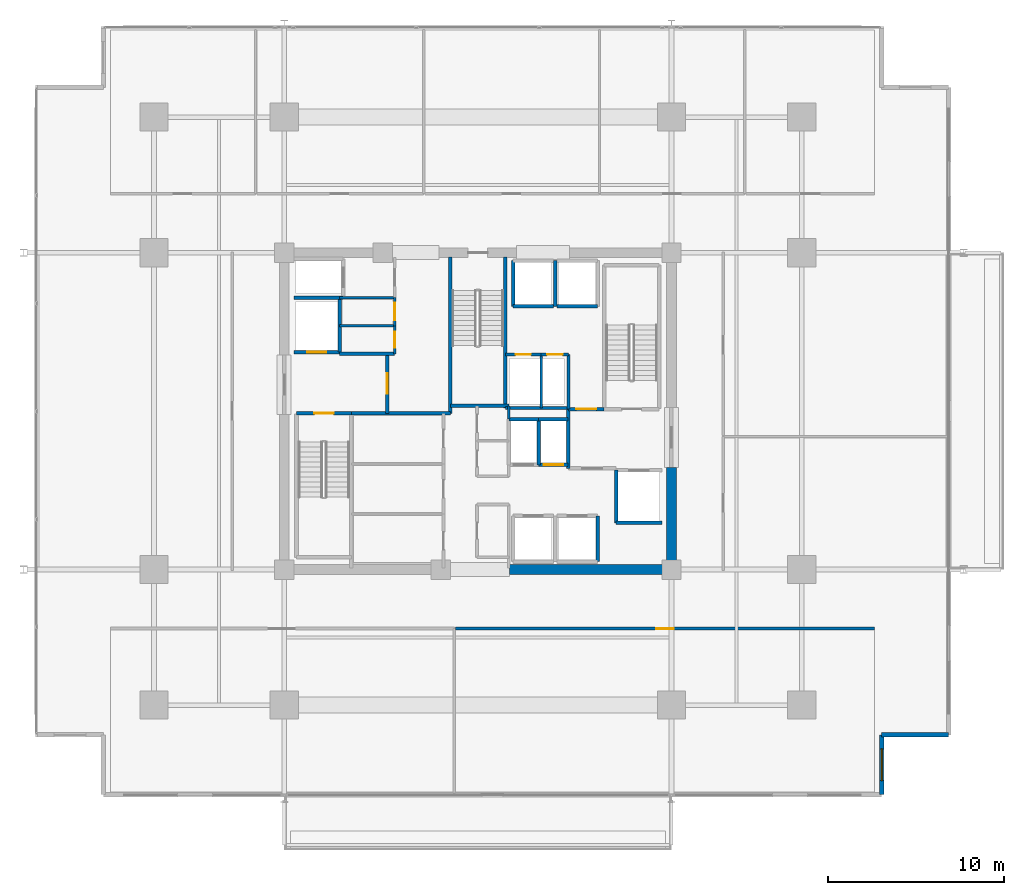
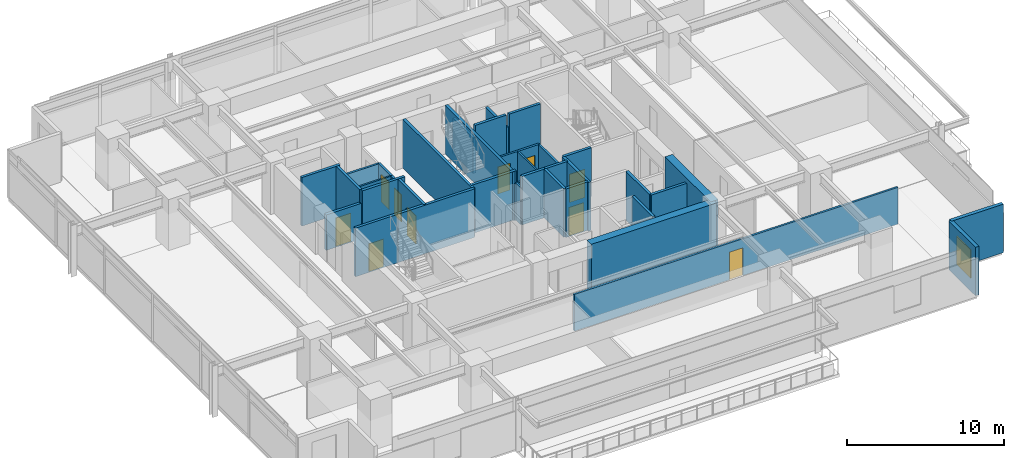
# One storey, part 14 of 21: 38 walls, 10 doors, 1 window, 11 openings.
"""IFC4 building model written with IfcOpenShell, lengths in metres."""

from ifc_helpers import new_model, si_unit, direction, frame, frame_2d, origin, place, context, subcontext, project, spatial, rectangle, extrude, material, layer, layer_set, type_object, element, fill, save


model = new_model("IFC4")

# Units and contexts
model_context = context("Model", 3, precision=1e-05, world=origin(), true_north=direction((0.0, 1.0)))
body_context = subcontext(model_context, "Body", "Model", "MODEL_VIEW")
ifc_project = project(units=[si_unit("LENGTHUNIT", "METRE"), si_unit("AREAUNIT", "SQUARE_METRE"), si_unit("VOLUMEUNIT", "CUBIC_METRE"), si_unit("PLANEANGLEUNIT", "RADIAN"), si_unit("MASSUNIT", "GRAM", prefix="KILO")], contexts=[model_context])

# Site, building, storey
site_placement = place(None, origin())
site = spatial("IfcSite", under=ifc_project, at=site_placement, CompositionType="ELEMENT")
building_placement = place(site_placement, origin())
building = spatial("IfcBuilding", under=site, at=building_placement, Name="Kovane Verandah Tower", CompositionType="ELEMENT")
storey_placement = place(building_placement, frame((0.0, 0.0, 172.39990234375)))
storey = spatial("IfcBuildingStorey", under=building, at=storey_placement, Name="L40", CompositionType="ELEMENT", Elevation=172.39990234375)

# Walls
ifc_material_1 = material(Name="Fire-Rated Gypsum Stud Partition", Category="gypsum")
ifc_layer_1 = layer(ifc_material_1, 0.14990234375)
ifc_layer_set_1 = layer_set([ifc_layer_1], Name="Fire-Rated Gypsum Stud Partition")
wall_type_1 = type_object("IfcWallType", Name="WL-COR-150", PredefinedType="PARTITIONING", material=ifc_layer_set_1)
wall_1_placement = place(storey_placement, frame((41.760009765625, 27.050048828125, 0.0), z_axis=(0.0, 0.0, 1.0), x_axis=(0.0, 1.0, 0.0)))
element("IfcWall", 1, at=wall_1_placement, inside=storey, type_object=wall_type_1, Name="L40 Central Core Strip Upper East Wall", PredefinedType="PARTITIONING", context=body_context, shape_type="SweptSolid", body=[
    extrude(rectangle(XDim=0.75, YDim=0.14990234375, at=frame_2d((0.375, 0.0))), origin(), (0.0, 0.0, 1.0), 2.85009765625),
])
wall_2_placement = place(storey_placement, frame((32.14990234375, 33.949951171875, 0.0), z_axis=(0.0, 0.0, 1.0), x_axis=(1.0, 0.0, 0.0)))
element("IfcWall", 2, at=wall_2_placement, inside=storey, type_object=wall_type_1, Name="L40 Goods Lift Lobby South Wall", PredefinedType="PARTITIONING", context=body_context, shape_type="SweptSolid", body=[
    extrude(rectangle(XDim=3.130126953125, YDim=0.14990234375, at=frame_2d((1.56494140625, 0.0))), origin(), (0.0, 0.0, 1.0), 2.85009765625),
])

# Wall, opening, door
wall_3_placement = place(storey_placement, frame((35.280029296875, 30.75, 0.0), z_axis=(0.0, 0.0, 1.0), x_axis=(0.0, 1.0, 0.0)))
wall_3 = element("IfcWall", 3, at=wall_3_placement, inside=storey, type_object=wall_type_1, Name="L40 Accessible Unisex Toilet Partition", PredefinedType="PARTITIONING", context=body_context, shape_type="SweptSolid", body=[
    extrude(rectangle(XDim=1.60009765625, YDim=0.14990234375, at=frame_2d((0.800048828125, 0.0))), origin(), (0.0, 0.0, 1.0), 2.85009765625),
])
opening_1_placement = place(wall_3_placement, frame((0.35009765625, 0.0, 0.0)))
opening_1 = element("IfcOpeningElement", 4, at=opening_1_placement, cuts=wall_3, Name="Opening DR-L40-028", PredefinedType="OPENING", context=body_context, shape_type="SweptSolid", body=[
    extrude(rectangle(XDim=0.89990234375, YDim=2.10009765625, at=frame_2d((0.449951171875, 1.050048828125))), frame((0.0, 0.074951171875, 0.0), z_axis=(0.0, -1.0, 0.0), x_axis=(1.0, 0.0, 0.0)), (0.0, 0.0, 1.0), 0.14990234375),
])
ifc_material_2 = material(Name="Moisture-Resistant Laminate Washroom Door", Category="wood")
door_type_1 = type_object("IfcDoorType", Name="DR-WC-900", OperationType="SINGLE_SWING_LEFT", PredefinedType="DOOR", material=ifc_material_2)
door_1_placement = place(opening_1_placement, origin())
door_1 = element("IfcDoor", 5, at=door_1_placement, inside=storey, type_object=door_type_1, Name="L40 Accessible Unisex Toilet Door", OperationType="SINGLE_SWING_RIGHT", OverallHeight=2.10009765625, OverallWidth=0.89990234375, PredefinedType="DOOR", context=body_context, shape_type="SweptSolid", body=[
    extrude(rectangle(XDim=0.89990234375, YDim=2.10009765625, at=frame_2d((0.449951171875, 1.050048828125))), frame((0.0, 0.02490234375, 0.0), z_axis=(0.0, -1.0, 0.0), x_axis=(1.0, 0.0, 0.0)), (0.0, 0.0, 1.0), 0.050048828125),
])
fill(opening_1, door_1)

wall_4_placement = place(storey_placement, frame((35.280029296875, 32.35009765625, 0.0), z_axis=(0.0, 0.0, 1.0), x_axis=(0.0, 1.0, 0.0)))
wall_4 = element("IfcWall", 6, at=wall_4_placement, inside=storey, type_object=wall_type_1, Name="L40 North-West First Aid Room Partition", PredefinedType="PARTITIONING", context=body_context, shape_type="SweptSolid", body=[
    extrude(rectangle(XDim=1.599853515625, YDim=0.14990234375, at=frame_2d((0.7998046875, 0.0))), origin(), (0.0, 0.0, 1.0), 2.85009765625),
])
opening_2_placement = place(wall_4_placement, frame((0.300048828125, 0.0, 0.0)))
opening_2 = element("IfcOpeningElement", 7, at=opening_2_placement, cuts=wall_4, Name="Opening DR-L40-012", PredefinedType="OPENING", context=body_context, shape_type="SweptSolid", body=[
    extrude(rectangle(XDim=1.0, YDim=2.14990234375, at=frame_2d((0.5, 1.074951171875))), frame((0.0, 0.074951171875, 0.0), z_axis=(0.0, -1.0, 0.0), x_axis=(1.0, 0.0, 0.0)), (0.0, 0.0, 1.0), 0.14990234375),
])
ifc_material_3 = material(Name="FSC Spotted-Gum Timber Fire-Rated Office Door", Category="wood")
door_type_2 = type_object("IfcDoorType", Name="DR-OFF-1000", OperationType="SINGLE_SWING_LEFT", PredefinedType="DOOR", material=ifc_material_3)
door_2_placement = place(opening_2_placement, origin())
door_2 = element("IfcDoor", 8, at=door_2_placement, inside=storey, type_object=door_type_2, Name="L40 North-West First Aid Room Door", OperationType="SINGLE_SWING_LEFT", OverallHeight=2.14990234375, OverallWidth=1.0, PredefinedType="DOOR", context=body_context, shape_type="SweptSolid", body=[
    extrude(rectangle(XDim=1.0, YDim=2.14990234375, at=frame_2d((0.5, 1.074951171875))), frame((0.0, 0.02490234375, 0.0), z_axis=(0.0, -1.0, 0.0), x_axis=(1.0, 0.0, 0.0)), (0.0, 0.0, 1.0), 0.050048828125),
])
fill(opening_2, door_2)

# Walls
wall_5_placement = place(storey_placement, frame((41.56005859375, 27.679931640625, 0.0), z_axis=(0.0, 0.0, 1.0), x_axis=(1.0, 0.0, 0.0)))
element("IfcWall", 9, at=wall_5_placement, inside=storey, type_object=wall_type_1, Name="L40 East Core Service Riser South Wall", PredefinedType="PARTITIONING", context=body_context, shape_type="SweptSolid", body=[
    extrude(rectangle(XDim=3.58984375, YDim=0.14990234375, at=frame_2d((1.794921875, 0.0))), origin(), (0.0, 0.0, 1.0), 2.85009765625),
])
wall_6_placement = place(storey_placement, frame((45.14990234375, 27.6201171875, 0.0), z_axis=(0.0, 0.0, 1.0), x_axis=(0.0, 1.0, 0.0)))
element("IfcWall", 10, at=wall_6_placement, inside=storey, type_object=wall_type_1, Name="L40 East Core Service Riser East Wall", PredefinedType="PARTITIONING", context=body_context, shape_type="SweptSolid", body=[
    extrude(rectangle(XDim=3.099853515625, YDim=0.14990234375, at=frame_2d((1.5498046875, 0.0))), origin(), (0.0, 0.0, 1.0), 2.85009765625),
])

# Wall, opening, door
wall_7_placement = place(storey_placement, frame((41.56005859375, 30.719970703125, 0.0), z_axis=(0.0, 0.0, 1.0), x_axis=(1.0, 0.0, 0.0)))
wall_7 = element("IfcWall", 11, at=wall_7_placement, inside=storey, type_object=wall_type_1, Name="L40 Electrical Sub-Main Riser Room Partition", PredefinedType="PARTITIONING", context=body_context, shape_type="SweptSolid", body=[
    extrude(rectangle(XDim=2.0400390625, YDim=0.14990234375, at=frame_2d((1.02001953125, 0.0))), origin(), (0.0, 0.0, 1.0), 2.85009765625),
])
opening_3_placement = place(wall_7_placement, frame((0.580078125, 0.0, 0.0)))
opening_3 = element("IfcOpeningElement", 12, at=opening_3_placement, cuts=wall_7, Name="Opening DR-L40-018", PredefinedType="OPENING", context=body_context, shape_type="SweptSolid", body=[
    extrude(rectangle(XDim=0.8798828125, YDim=2.10009765625, at=frame_2d((0.43994140625, 1.050048828125))), frame((0.0, 0.074951171875, 0.0), z_axis=(0.0, -1.0, 0.0), x_axis=(1.0, 0.0, 0.0)), (0.0, 0.0, 1.0), 0.14990234375),
])
ifc_material_4 = material(Name="Fire-Rated Steel Riser Access Door", Category="steel")
door_type_3 = type_object("IfcDoorType", Name="DR-RISER-880", OperationType="SINGLE_SWING_LEFT", PredefinedType="DOOR", material=ifc_material_4)
door_3_placement = place(opening_3_placement, origin())
door_3 = element("IfcDoor", 13, at=door_3_placement, inside=storey, type_object=door_type_3, Name="L40 Electrical Sub-Main Riser Room Door", OperationType="SINGLE_SWING_LEFT", OverallHeight=2.10009765625, OverallWidth=0.8798828125, PredefinedType="DOOR", context=body_context, shape_type="SweptSolid", body=[
    extrude(rectangle(XDim=0.8798828125, YDim=2.10009765625, at=frame_2d((0.43994140625, 1.050048828125))), frame((0.0, 0.02490234375, 0.0), z_axis=(0.0, -1.0, 0.0), x_axis=(1.0, 0.0, 0.0)), (0.0, 0.0, 1.0), 0.050048828125),
])
fill(opening_3, door_3)

wall_8_placement = place(storey_placement, frame((43.60009765625, 30.719970703125, 0.0), z_axis=(0.0, 0.0, 1.0), x_axis=(1.0, 0.0, 0.0)))
wall_8 = element("IfcWall", 14, at=wall_8_placement, inside=storey, type_object=wall_type_1, Name="L40 Sprinkler Wet Riser Room Partition", PredefinedType="PARTITIONING", context=body_context, shape_type="SweptSolid", body=[
    extrude(rectangle(XDim=1.5498046875, YDim=0.14990234375, at=frame_2d((0.77490234375, 0.0))), origin(), (0.0, 0.0, 1.0), 2.85009765625),
])
opening_4_placement = place(wall_8_placement, frame((0.3349609375, 0.0, 0.0)))
opening_4 = element("IfcOpeningElement", 15, at=opening_4_placement, cuts=wall_8, Name="Opening DR-L40-019", PredefinedType="OPENING", context=body_context, shape_type="SweptSolid", body=[
    extrude(rectangle(XDim=0.8798828125, YDim=2.10009765625, at=frame_2d((0.43994140625, 1.050048828125))), frame((0.0, 0.074951171875, 0.0), z_axis=(0.0, -1.0, 0.0), x_axis=(1.0, 0.0, 0.0)), (0.0, 0.0, 1.0), 0.14990234375),
])
door_4_placement = place(opening_4_placement, origin())
door_4 = element("IfcDoor", 16, at=door_4_placement, inside=storey, type_object=door_type_3, Name="L40 Sprinkler Wet Riser Room Door", OperationType="SINGLE_SWING_RIGHT", OverallHeight=2.10009765625, OverallWidth=0.8798828125, PredefinedType="DOOR", context=body_context, shape_type="SweptSolid", body=[
    extrude(rectangle(XDim=0.8798828125, YDim=2.10009765625, at=frame_2d((0.43994140625, 1.050048828125))), frame((0.0, 0.02490234375, 0.0), z_axis=(0.0, -1.0, 0.0), x_axis=(1.0, 0.0, 0.0)), (0.0, 0.0, 1.0), 0.050048828125),
])
fill(opening_4, door_4)

wall_9_placement = place(storey_placement, frame((38.733642578125, 15.14990234375, 0.0), z_axis=(0.0, 0.0, 1.0), x_axis=(1.0, 0.0, 0.0)))
wall_9 = element("IfcWall", 17, at=wall_9_placement, inside=storey, type_object=wall_type_1, Name="L40 Meeting Room S2 Corridor Partition", PredefinedType="PARTITIONING", context=body_context, shape_type="SweptSolid", body=[
    extrude(rectangle(XDim=23.80517578125, YDim=0.14990234375, at=frame_2d((11.902587890625, 0.0))), origin(), (0.0, 0.0, 1.0), 2.85009765625),
])
opening_5_placement = place(wall_9_placement, frame((11.402587890625, 0.0, 0.0)))
opening_5 = element("IfcOpeningElement", 18, at=opening_5_placement, cuts=wall_9, Name="Opening DR-L40-026", PredefinedType="OPENING", context=body_context, shape_type="SweptSolid", body=[
    extrude(rectangle(XDim=1.0, YDim=2.14990234375, at=frame_2d((0.5, 1.074951171875))), frame((0.0, 0.074951171875, 0.0), z_axis=(0.0, -1.0, 0.0), x_axis=(1.0, 0.0, 0.0)), (0.0, 0.0, 1.0), 0.14990234375),
])
door_5_placement = place(opening_5_placement, origin())
door_5 = element("IfcDoor", 19, at=door_5_placement, inside=storey, type_object=door_type_2, Name="L40 Meeting Room S2 Entrance Door", OperationType="SINGLE_SWING_LEFT", OverallHeight=2.14990234375, OverallWidth=1.0, PredefinedType="DOOR", context=body_context, shape_type="SweptSolid", body=[
    extrude(rectangle(XDim=1.0, YDim=2.14990234375, at=frame_2d((0.5, 1.074951171875))), frame((0.0, 0.02490234375, 0.0), z_axis=(0.0, -1.0, 0.0), x_axis=(1.0, 0.0, 0.0)), (0.0, 0.0, 1.0), 0.050048828125),
])
fill(opening_5, door_5)

# Walls
ifc_material_5 = material(Name="Concrete C60/75", Category="concrete")
ifc_layer_2 = layer(ifc_material_5, 0.550048828125)
ifc_layer_set_2 = layer_set([ifc_layer_2], Name="Concrete C60/75")
wall_type_2 = type_object("IfcWallType", Name="WL-CORE-550", PredefinedType="SHEAR", material=ifc_layer_set_2)
wall_10_placement = place(storey_placement, frame((41.800048828125, 18.5, 0.0), z_axis=(0.0, 0.0, 1.0), x_axis=(1.0, 0.0, 0.0)))
element("IfcWall", 20, at=wall_10_placement, inside=storey, type_object=wall_type_2, Name="L40 Core Shear Wall CS-2", PredefinedType="SHEAR", context=body_context, shape_type="SweptSolid", body=[
    extrude(rectangle(XDim=9.199951171875, YDim=0.550048828125, at=frame_2d((4.60009765625, 0.0))), origin(), (0.0, 0.0, 1.0), 3.775146484375),
])
wall_11_placement = place(storey_placement, frame((51.0, 18.5, 0.0), z_axis=(0.0, 0.0, 1.0), x_axis=(0.0, 1.0, 0.0)))
element("IfcWall", 21, at=wall_11_placement, inside=storey, type_object=wall_type_2, Name="L40 Core Shear Wall CE-1", PredefinedType="SHEAR", context=body_context, shape_type="SweptSolid", body=[
    extrude(rectangle(XDim=5.800048828125, YDim=0.550048828125, at=frame_2d((2.89990234375, 0.0))), origin(), (0.0, 0.0, 1.0), 3.775146484375),
])

# Wall, opening, door
ifc_material_6 = material(Name="Concrete C45/55 Fire Wall", Category="concrete")
ifc_layer_3 = layer(ifc_material_6, 0.199951171875)
ifc_layer_set_3 = layer_set([ifc_layer_3], Name="Concrete C45/55 Fire Wall")
wall_type_3 = type_object("IfcWallType", Name="WL-FFL-200", PredefinedType="PARTITIONING", material=ifc_layer_set_3)
wall_12_placement = place(storey_placement, frame((34.85009765625, 27.3798828125, 0.0), z_axis=(0.0, 0.0, 1.0), x_axis=(0.0, 1.0, 0.0)))
wall_12 = element("IfcWall", 22, at=wall_12_placement, inside=storey, type_object=wall_type_3, Name="W-L40-FFLW-E", PredefinedType="PARTITIONING", context=body_context, shape_type="SweptSolid", body=[
    extrude(rectangle(XDim=3.3701171875, YDim=0.199951171875, at=frame_2d((1.68505859375, 0.0))), origin(), (0.0, 0.0, 1.0), 3.775146484375),
])
opening_6_placement = place(wall_12_placement, frame((1.110107421875, 0.0, 0.0)))
opening_6 = element("IfcOpeningElement", 23, at=opening_6_placement, cuts=wall_12, Name="Opening DR-L40-006", PredefinedType="OPENING", context=body_context, shape_type="SweptSolid", body=[
    extrude(rectangle(XDim=1.14990234375, YDim=2.199951171875, at=frame_2d((0.574951171875, 1.10009765625))), frame((0.0, 0.10009765625, 0.0), z_axis=(0.0, -1.0, 0.0), x_axis=(1.0, 0.0, 0.0)), (0.0, 0.0, 1.0), 0.199951171875),
])
ifc_material_7 = material(Name="Smoke-Sealed Firefighting Lobby Door", Category="steel")
door_type_4 = type_object("IfcDoorType", Name="DR-FFL-1150", OperationType="SINGLE_SWING_LEFT", PredefinedType="DOOR", material=ifc_material_7)
door_6_placement = place(opening_6_placement, origin())
door_6 = element("IfcDoor", 24, at=door_6_placement, inside=storey, type_object=door_type_4, Name="L40 West Firefighting Lobby Inner Door", OperationType="SINGLE_SWING_LEFT", OverallHeight=2.199951171875, OverallWidth=1.14990234375, PredefinedType="DOOR", context=body_context, shape_type="SweptSolid", body=[
    extrude(rectangle(XDim=1.14990234375, YDim=2.199951171875, at=frame_2d((0.574951171875, 1.10009765625))), frame((0.0, 0.02490234375, 0.0), z_axis=(0.0, -1.0, 0.0), x_axis=(1.0, 0.0, 0.0)), (0.0, 0.0, 1.0), 0.050048828125),
])
fill(opening_6, door_6)

# Walls
wall_13_placement = place(storey_placement, frame((32.820068359375, 27.3798828125, 0.0), z_axis=(0.0, 0.0, 1.0), x_axis=(1.0, 0.0, 0.0)))
element("IfcWall", 25, at=wall_13_placement, inside=storey, type_object=wall_type_3, Name="L40 West Firefighting Lobby South Fire Wall", PredefinedType="PARTITIONING", context=body_context, shape_type="SweptSolid", body=[
    extrude(rectangle(XDim=5.619873046875, YDim=0.199951171875, at=frame_2d((2.81005859375, 0.0))), origin(), (0.0, 0.0, 1.0), 3.775146484375),
])
wall_14_placement = place(storey_placement, frame((32.14990234375, 30.75, 0.0), z_axis=(0.0, 0.0, 1.0), x_axis=(1.0, 0.0, 0.0)))
element("IfcWall", 26, at=wall_14_placement, inside=storey, type_object=wall_type_3, Name="L40 West Firefighting Lobby North Fire Wall", PredefinedType="PARTITIONING", context=body_context, shape_type="SweptSolid", body=[
    extrude(rectangle(XDim=3.130126953125, YDim=0.199951171875, at=frame_2d((1.56494140625, 0.0))), origin(), (0.0, 0.0, 1.0), 3.775146484375),
])
wall_15_placement = place(storey_placement, frame((45.14990234375, 24.25, 0.0), z_axis=(0.0, 0.0, 1.0), x_axis=(0.0, 1.0, 0.0)))
element("IfcWall", 27, at=wall_15_placement, inside=storey, type_object=wall_type_3, Name="L40 East Firefighting Lobby West Fire Wall", PredefinedType="PARTITIONING", context=body_context, shape_type="SweptSolid", body=[
    extrude(rectangle(XDim=3.3701171875, YDim=0.199951171875, at=frame_2d((1.68505859375, 0.0))), origin(), (0.0, 0.0, 1.0), 3.775146484375),
])

# Wall, opening, door
wall_16_placement = place(storey_placement, frame((45.14990234375, 27.6201171875, 0.0), z_axis=(0.0, 0.0, 1.0), x_axis=(1.0, 0.0, 0.0)))
wall_16 = element("IfcWall", 28, at=wall_16_placement, inside=storey, type_object=wall_type_3, Name="W-L40-FFLE-N", PredefinedType="PARTITIONING", context=body_context, shape_type="SweptSolid", body=[
    extrude(rectangle(XDim=2.030029296875, YDim=0.199951171875, at=frame_2d((1.01513671875, 0.0))), origin(), (0.0, 0.0, 1.0), 3.775146484375),
])
opening_7_placement = place(wall_16_placement, frame((0.43994140625, 0.0, 0.0)))
opening_7 = element("IfcOpeningElement", 29, at=opening_7_placement, cuts=wall_16, Name="Opening DR-L40-004", PredefinedType="OPENING", context=body_context, shape_type="SweptSolid", body=[
    extrude(rectangle(XDim=1.14990234375, YDim=2.199951171875, at=frame_2d((0.574951171875, 1.10009765625))), frame((0.0, 0.10009765625, 0.0), z_axis=(0.0, -1.0, 0.0), x_axis=(1.0, 0.0, 0.0)), (0.0, 0.0, 1.0), 0.199951171875),
])
door_7_placement = place(opening_7_placement, origin())
door_7 = element("IfcDoor", 30, at=door_7_placement, inside=storey, type_object=door_type_4, Name="L40 East Firefighting Lobby Shuttle Link Door", OperationType="SINGLE_SWING_LEFT", OverallHeight=2.199951171875, OverallWidth=1.14990234375, PredefinedType="DOOR", context=body_context, shape_type="SweptSolid", body=[
    extrude(rectangle(XDim=1.14990234375, YDim=2.199951171875, at=frame_2d((0.574951171875, 1.10009765625))), frame((0.0, 0.02490234375, 0.0), z_axis=(0.0, -1.0, 0.0), x_axis=(1.0, 0.0, 0.0)), (0.0, 0.0, 1.0), 0.050048828125),
])
fill(opening_7, door_7)

ifc_material_8 = material(Name="Concrete C45/55 Lift Shaft Wall", Category="concrete")
ifc_layer_4 = layer(ifc_material_8, 0.199951171875)
ifc_layer_set_4 = layer_set([ifc_layer_4], Name="Concrete C45/55 Lift Shaft Wall")
wall_type_4 = type_object("IfcWallType", Name="WL-LIFT-200", PredefinedType="SOLIDWALL", material=ifc_layer_set_4)
wall_17_placement = place(storey_placement, frame((29.550048828125, 30.85009765625, 0.0), z_axis=(0.0, 0.0, 1.0), x_axis=(1.0, 0.0, 0.0)))
wall_17 = element("IfcWall", 31, at=wall_17_placement, inside=storey, type_object=wall_type_4, Name="L40 Lift FL-01 S Shaft Wall", PredefinedType="SOLIDWALL", context=body_context, shape_type="SweptSolid", body=[
    extrude(rectangle(XDim=2.599853515625, YDim=0.199951171875, at=frame_2d((1.2998046875, 0.0))), origin(), (0.0, 0.0, 1.0), 2.755126953125),
])
opening_8_placement = place(wall_17_placement, frame((0.75, 0.0, 0.0)))
opening_8 = element("IfcOpeningElement", 32, at=opening_8_placement, cuts=wall_17, Name="Opening LD-L40-001", PredefinedType="OPENING", context=body_context, shape_type="SweptSolid", body=[
    extrude(rectangle(XDim=1.10009765625, YDim=2.199951171875, at=frame_2d((0.550048828125, 1.10009765625))), frame((0.0, 0.10009765625, 0.0), z_axis=(0.0, -1.0, 0.0), x_axis=(1.0, 0.0, 0.0)), (0.0, 0.0, 1.0), 0.199951171875),
])
ifc_material_9 = material(Name="Brushed Stainless Steel Sliding Lift Landing Door", Category="steel")
door_type_5 = type_object("IfcDoorType", Name="DR-LIFT-1100", OperationType="SLIDING_TO_RIGHT", PredefinedType="DOOR", material=ifc_material_9)
door_8_placement = place(opening_8_placement, origin())
door_8 = element("IfcDoor", 33, at=door_8_placement, inside=storey, type_object=door_type_5, Name="L40 Lift FL-01 Sliding Landing Door", OperationType="SLIDING_TO_RIGHT", OverallHeight=2.199951171875, OverallWidth=1.10009765625, PredefinedType="DOOR", context=body_context, shape_type="SweptSolid", body=[
    extrude(rectangle(XDim=1.10009765625, YDim=2.199951171875, at=frame_2d((0.550048828125, 1.10009765625))), frame((0.0, 0.02490234375, 0.0), z_axis=(0.0, -1.0, 0.0), x_axis=(1.0, 0.0, 0.0)), (0.0, 0.0, 1.0), 0.050048828125),
])
fill(opening_8, door_8)

# Walls
wall_18_placement = place(storey_placement, frame((29.550048828125, 33.949951171875, 0.0), z_axis=(0.0, 0.0, 1.0), x_axis=(1.0, 0.0, 0.0)))
element("IfcWall", 34, at=wall_18_placement, inside=storey, type_object=wall_type_4, Name="L40 Lift FL-01 and GL-01 Shared Shaft Wall", PredefinedType="SOLIDWALL", context=body_context, shape_type="SweptSolid", body=[
    extrude(rectangle(XDim=2.800048828125, YDim=0.199951171875, at=frame_2d((1.39990234375, 0.0))), origin(), (0.0, 0.0, 1.0), 3.775146484375),
])
wall_19_placement = place(storey_placement, frame((32.14990234375, 30.85009765625, 0.0), z_axis=(0.0, 0.0, 1.0), x_axis=(0.0, 1.0, 0.0)))
element("IfcWall", 35, at=wall_19_placement, inside=storey, type_object=wall_type_4, Name="L40 Lift FL-01 E Shaft Wall", PredefinedType="SOLIDWALL", context=body_context, shape_type="SweptSolid", body=[
    extrude(rectangle(XDim=3.0, YDim=0.199951171875, at=frame_2d((1.5, 0.0))), origin(), (0.0, 0.0, 1.0), 3.775146484375),
])
wall_20_placement = place(storey_placement, frame((47.85009765625, 21.14990234375, 0.0), z_axis=(0.0, 0.0, 1.0), x_axis=(1.0, 0.0, 0.0)))
element("IfcWall", 36, at=wall_20_placement, inside=storey, type_object=wall_type_4, Name="L40 Lift FL-02 S Shaft Wall", PredefinedType="SOLIDWALL", context=body_context, shape_type="SweptSolid", body=[
    extrude(rectangle(XDim=2.599853515625, YDim=0.199951171875, at=frame_2d((1.2998046875, 0.0))), origin(), (0.0, 0.0, 1.0), 3.775146484375),
])
wall_21_placement = place(storey_placement, frame((47.85009765625, 24.14990234375, 0.0), z_axis=(0.0, 0.0, 1.0), x_axis=(0.0, -1.0, 0.0)))
element("IfcWall", 37, at=wall_21_placement, inside=storey, type_object=wall_type_4, Name="L40 Lift FL-02 W Shaft Wall", PredefinedType="SOLIDWALL", context=body_context, shape_type="SweptSolid", body=[
    extrude(rectangle(XDim=3.0, YDim=0.199951171875, at=frame_2d((1.5, 0.0))), origin(), (0.0, 0.0, 1.0), 3.775146484375),
])
wall_22_placement = place(storey_placement, frame((46.800048828125, 18.949951171875, 0.0), z_axis=(0.0, 0.0, 1.0), x_axis=(0.0, 1.0, 0.0)))
element("IfcWall", 38, at=wall_22_placement, inside=storey, type_object=wall_type_4, Name="L40 Lift PL-M2 E Shaft Wall", PredefinedType="SOLIDWALL", context=body_context, shape_type="SweptSolid", body=[
    extrude(rectangle(XDim=2.60009765625, YDim=0.199951171875, at=frame_2d((1.300048828125, 0.0))), origin(), (0.0, 0.0, 1.0), 3.775146484375),
])
wall_23_placement = place(storey_placement, frame((43.43994140625, 27.050048828125, 0.0), z_axis=(0.0, 0.0, 1.0), x_axis=(-1.0, 0.0, 0.0)))
element("IfcWall", 39, at=wall_23_placement, inside=storey, type_object=wall_type_4, Name="L40 Lift PL-M3 N Shaft Wall", PredefinedType="SOLIDWALL", context=body_context, shape_type="SweptSolid", body=[
    extrude(rectangle(XDim=1.679931640625, YDim=0.199951171875, at=frame_2d((0.83984375, 0.0))), origin(), (0.0, 0.0, 1.0), 3.775146484375),
])
wall_24_placement = place(storey_placement, frame((43.449951171875, 24.449951171875, 0.0), z_axis=(0.0, 0.0, 1.0), x_axis=(0.0, 1.0, 0.0)))
element("IfcWall", 40, at=wall_24_placement, inside=storey, type_object=wall_type_4, Name="L40 Lift PL-M3 and PL-M4 Shared Shaft Wall", PredefinedType="SOLIDWALL", context=body_context, shape_type="SweptSolid", body=[
    extrude(rectangle(XDim=2.60009765625, YDim=0.199951171875, at=frame_2d((1.300048828125, 0.0))), origin(), (0.0, 0.0, 1.0), 3.775146484375),
])

# Wall, opening, door
wall_25_placement = place(storey_placement, frame((43.4599609375, 24.449951171875, 0.0), z_axis=(0.0, 0.0, 1.0), x_axis=(1.0, 0.0, 0.0)))
wall_25 = element("IfcWall", 41, at=wall_25_placement, inside=storey, type_object=wall_type_4, Name="L40 Lift PL-M4 S Shaft Wall", PredefinedType="SOLIDWALL", context=body_context, shape_type="SweptSolid", body=[
    extrude(rectangle(XDim=1.66015625, YDim=0.199951171875, at=frame_2d((0.830078125, 0.0))), origin(), (0.0, 0.0, 1.0), 3.775146484375),
])
opening_9_placement = place(wall_25_placement, frame((0.280029296875, 0.0, 0.0)))
opening_9 = element("IfcOpeningElement", 42, at=opening_9_placement, cuts=wall_25, Name="Opening LD-L40-007", PredefinedType="OPENING", context=body_context, shape_type="SweptSolid", body=[
    extrude(rectangle(XDim=1.10009765625, YDim=2.199951171875, at=frame_2d((0.550048828125, 1.10009765625))), frame((0.0, 0.10009765625, 0.0), z_axis=(0.0, -1.0, 0.0), x_axis=(1.0, 0.0, 0.0)), (0.0, 0.0, 1.0), 0.199951171875),
])
door_9_placement = place(opening_9_placement, origin())
door_9 = element("IfcDoor", 43, at=door_9_placement, inside=storey, type_object=door_type_5, Name="L40 Lift PL-M4 Sliding Landing Door", OperationType="SLIDING_TO_RIGHT", OverallHeight=2.199951171875, OverallWidth=1.10009765625, PredefinedType="DOOR", context=body_context, shape_type="SweptSolid", body=[
    extrude(rectangle(XDim=1.10009765625, YDim=2.199951171875, at=frame_2d((0.550048828125, 1.10009765625))), frame((0.0, 0.02490234375, 0.0), z_axis=(0.0, -1.0, 0.0), x_axis=(1.0, 0.0, 0.0)), (0.0, 0.0, 1.0), 0.050048828125),
])
fill(opening_9, door_9)

# Walls
wall_26_placement = place(storey_placement, frame((45.1201171875, 27.050048828125, 0.0), z_axis=(0.0, 0.0, 1.0), x_axis=(-1.0, 0.0, 0.0)))
element("IfcWall", 44, at=wall_26_placement, inside=storey, type_object=wall_type_4, Name="L40 Lift PL-M4 N Shaft Wall", PredefinedType="SOLIDWALL", context=body_context, shape_type="SweptSolid", body=[
    extrude(rectangle(XDim=1.66015625, YDim=0.199951171875, at=frame_2d((0.830078125, 0.0))), origin(), (0.0, 0.0, 1.0), 3.775146484375),
])
wall_27_placement = place(storey_placement, frame((42.0, 33.449951171875, 0.0), z_axis=(0.0, 0.0, 1.0), x_axis=(1.0, 0.0, 0.0)))
element("IfcWall", 45, at=wall_27_placement, inside=storey, type_object=wall_type_4, Name="L40 Lift SL-01 S Shaft Wall", PredefinedType="SOLIDWALL", context=body_context, shape_type="SweptSolid", body=[
    extrude(rectangle(XDim=2.300048828125, YDim=0.199951171875, at=frame_2d((1.14990234375, 0.0))), origin(), (0.0, 0.0, 1.0), 3.775146484375),
])
for number, where, z_axis, x_axis, name in (
    (46, (42.0, 36.050048828125, 0.0), (0.0, 0.0, 1.0), (0.0, -1.0, 0.0), "L40 Lift SL-01 W Shaft Wall"),
    (47, (44.39990234375, 33.449951171875, 0.0), (0.0, 0.0, 1.0), (0.0, 1.0, 0.0), "L40 Lift OL-01 and SL-01 Shared Shaft Wall"),
):
    element("IfcWall", number, at=place(storey_placement, frame(where, z_axis=z_axis, x_axis=x_axis)), inside=storey, type_object=wall_type_4, Name=name, PredefinedType="SOLIDWALL", context=body_context, shape_type="SweptSolid", body=[
        extrude(rectangle(XDim=2.60009765625, YDim=0.199951171875, at=frame_2d((1.300048828125, 0.0))), origin(), (0.0, 0.0, 1.0), 2.755126953125),
    ])
wall_28_placement = place(storey_placement, frame((44.5, 33.449951171875, 0.0), z_axis=(0.0, 0.0, 1.0), x_axis=(1.0, 0.0, 0.0)))
element("IfcWall", 48, at=wall_28_placement, inside=storey, type_object=wall_type_4, Name="L40 Lift OL-01 S Shaft Wall", PredefinedType="SOLIDWALL", context=body_context, shape_type="SweptSolid", body=[
    extrude(rectangle(XDim=2.300048828125, YDim=0.199951171875, at=frame_2d((1.14990234375, 0.0))), origin(), (0.0, 0.0, 1.0), 3.775146484375),
])
ifc_material_10 = material(Name="Acoustic Fire-Rated Gypsum Partition", Category="gypsum")
ifc_layer_5 = layer(ifc_material_10, 0.1201171875)
ifc_layer_set_5 = layer_set([ifc_layer_5], Name="Acoustic Fire-Rated Gypsum Partition")
wall_type_5 = type_object("IfcWallType", Name="WL-PART-120", PredefinedType="PARTITIONING", material=ifc_layer_set_5)
wall_29_placement = place(storey_placement, frame((32.14990234375, 32.35009765625, 0.0), z_axis=(0.0, 0.0, 1.0), x_axis=(1.0, 0.0, 0.0)))
element("IfcWall", 49, at=wall_29_placement, inside=storey, type_object=wall_type_5, Name="L40 Accessible Washroom and Support Dividing Partition", PredefinedType="PARTITIONING", context=body_context, shape_type="SweptSolid", body=[
    extrude(rectangle(XDim=3.130126953125, YDim=0.1201171875, at=frame_2d((1.56494140625, 0.0))), origin(), (0.0, 0.0, 1.0), 2.85009765625),
])
wall_30_placement = place(storey_placement, frame((43.60009765625, 27.679931640625, 0.0), z_axis=(0.0, 0.0, 1.0), x_axis=(0.0, 1.0, 0.0)))
element("IfcWall", 50, at=wall_30_placement, inside=storey, type_object=wall_type_5, Name="L40 Service Riser Dividing Partition", PredefinedType="PARTITIONING", context=body_context, shape_type="SweptSolid", body=[
    extrude(rectangle(XDim=3.0400390625, YDim=0.1201171875, at=frame_2d((1.52001953125, 0.0))), origin(), (0.0, 0.0, 1.0), 2.85009765625),
])

# Wall, opening, door
ifc_material_11 = material(Name="Concrete C45/55", Category="concrete")
ifc_layer_6 = layer(ifc_material_11, 0.199951171875)
ifc_layer_set_6 = layer_set([ifc_layer_6], Name="Concrete C45/55")
wall_type_6 = type_object("IfcWallType", Name="WL-SHAFT-200", PredefinedType="SOLIDWALL", material=ifc_layer_set_6)
wall_31_placement = place(storey_placement, frame((29.699951171875, 27.3798828125, 0.0), z_axis=(0.0, 0.0, 1.0), x_axis=(1.0, 0.0, 0.0)))
wall_31 = element("IfcWall", 51, at=wall_31_placement, inside=storey, type_object=wall_type_6, Name="W-L40-ST01-N", PredefinedType="SOLIDWALL", context=body_context, shape_type="SweptSolid", body=[
    extrude(rectangle(XDim=3.1201171875, YDim=0.199951171875, at=frame_2d((1.56005859375, 0.0))), origin(), (0.0, 0.0, 1.0), 3.775146484375),
])
opening_10_placement = place(wall_31_placement, frame((1.010009765625, 0.0, 0.0)))
opening_10 = element("IfcOpeningElement", 52, at=opening_10_placement, cuts=wall_31, Name="Opening DR-L40-009", PredefinedType="OPENING", context=body_context, shape_type="SweptSolid", body=[
    extrude(rectangle(XDim=1.10009765625, YDim=2.14990234375, at=frame_2d((0.550048828125, 1.074951171875))), frame((0.0, 0.10009765625, 0.0), z_axis=(0.0, -1.0, 0.0), x_axis=(1.0, 0.0, 0.0)), (0.0, 0.0, 1.0), 0.199951171875),
])
ifc_material_12 = material(Name="Fire-Rated Steel Exit Door", Category="steel")
door_type_6 = type_object("IfcDoorType", Name="DR-STAIR-1100", OperationType="SINGLE_SWING_LEFT", PredefinedType="DOOR", material=ifc_material_12)
door_10_placement = place(opening_10_placement, origin())
door_10 = element("IfcDoor", 53, at=door_10_placement, inside=storey, type_object=door_type_6, Name="L40 ST-01 Fire Exit Stair Door", OperationType="SINGLE_SWING_LEFT", OverallHeight=2.14990234375, OverallWidth=1.10009765625, PredefinedType="DOOR", context=body_context, shape_type="SweptSolid", body=[
    extrude(rectangle(XDim=1.10009765625, YDim=2.14990234375, at=frame_2d((0.550048828125, 1.074951171875))), frame((0.0, 0.02490234375, 0.0), z_axis=(0.0, -1.0, 0.0), x_axis=(1.0, 0.0, 0.0)), (0.0, 0.0, 1.0), 0.050048828125),
])
fill(opening_10, door_10)

# Walls
wall_32_placement = place(storey_placement, frame((38.43994140625, 27.3798828125, 0.0), z_axis=(0.0, 0.0, 1.0), x_axis=(0.0, 1.0, 0.0)))
element("IfcWall", 54, at=wall_32_placement, inside=storey, type_object=wall_type_6, Name="W-L40-ST03-W", PredefinedType="SOLIDWALL", context=body_context, shape_type="SweptSolid", body=[
    extrude(rectangle(XDim=8.8701171875, YDim=0.199951171875, at=frame_2d((4.43505859375, 0.0))), origin(), (0.0, 0.0, 1.0), 3.775146484375),
])
wall_33_placement = place(storey_placement, frame((41.56005859375, 27.679931640625, 0.0), z_axis=(0.0, 0.0, 1.0), x_axis=(0.0, 1.0, 0.0)))
element("IfcWall", 55, at=wall_33_placement, inside=storey, type_object=wall_type_6, Name="W-L40-ST03-E", PredefinedType="SOLIDWALL", context=body_context, shape_type="SweptSolid", body=[
    extrude(rectangle(XDim=8.570068359375, YDim=0.199951171875, at=frame_2d((4.28515625, 0.0))), origin(), (0.0, 0.0, 1.0), 3.775146484375),
])
wall_34_placement = place(storey_placement, frame((38.43994140625, 27.800048828125, 0.0), z_axis=(0.0, 0.0, 1.0), x_axis=(1.0, 0.0, 0.0)))
element("IfcWall", 56, at=wall_34_placement, inside=storey, type_object=wall_type_6, Name="W-L40-ST03-S", PredefinedType="SOLIDWALL", context=body_context, shape_type="SweptSolid", body=[
    extrude(rectangle(XDim=3.320068359375, YDim=0.199951171875, at=frame_2d((1.66015625, 0.0))), origin(), (0.0, 0.0, 1.0), 3.775146484375),
])

# Wall, opening, window
ifc_material_13 = material(Name="Concrete C45/55 Insulated Spandrel Wall", Category="concrete")
ifc_layer_7 = layer(ifc_material_13, 0.260009765625)
ifc_layer_set_7 = layer_set([ifc_layer_7], Name="Concrete C45/55 Insulated Spandrel Wall")
wall_type_7 = type_object("IfcWallType", Name="WL-SPANDREL-260", PredefinedType="PARAPET", material=ifc_layer_set_7)
wall_35_placement = place(storey_placement, frame((62.938720703125, 5.710693359375, 0.0), z_axis=(0.0, 0.0, 1.0), x_axis=(0.0, 1.0, 0.0)))
wall_35 = element("IfcWall", 57, at=wall_35_placement, inside=storey, type_object=wall_type_7, Name="L40 SE Notch Cheek Wall 1", PredefinedType="PARAPET", context=body_context, shape_type="SweptSolid", body=[
    extrude(rectangle(XDim=3.39990234375, YDim=0.260009765625, at=frame_2d((1.699951171875, 0.0))), origin(), (0.0, 0.0, 1.0), 3.775146484375),
])
opening_11_placement = place(wall_35_placement, frame((0.800048828125, 0.0, 0.85009765625)))
opening_11 = element("IfcOpeningElement", 58, at=opening_11_placement, cuts=wall_35, Name="Opening W-03", PredefinedType="OPENING", context=body_context, shape_type="SweptSolid", body=[
    extrude(rectangle(XDim=1.800048828125, YDim=2.199951171875, at=frame_2d((0.89990234375, 1.10009765625))), frame((0.0, 0.1298828125, 0.0), z_axis=(0.0, -1.0, 0.0), x_axis=(1.0, 0.0, 0.0)), (0.0, 0.0, 1.0), 0.260009765625),
])
ifc_material_14 = material(Name="Clear Low-E Laminated Double Glazing in Anodised Frame", Category="glass")
window_type = type_object("IfcWindowType", Name="WN-NOTCH-1800x2200", PartitioningType="SINGLE_PANEL", PredefinedType="WINDOW", material=ifc_material_14)
window_placement = place(opening_11_placement, origin())
window = element("IfcWindow", 59, at=window_placement, inside=storey, type_object=window_type, Name="L40 SE Re-Entrant Corner Operable Window", OverallHeight=2.199951171875, OverallWidth=1.800048828125, PartitioningType="SINGLE_PANEL", PredefinedType="WINDOW", context=body_context, shape_type="SweptSolid", body=[
    extrude(rectangle(XDim=1.800048828125, YDim=2.199951171875, at=frame_2d((0.89990234375, 1.10009765625))), frame((0.0, 0.030029296875, 0.0), z_axis=(0.0, -1.0, 0.0), x_axis=(1.0, 0.0, 0.0)), (0.0, 0.0, 1.0), 0.06005859375),
])
fill(opening_11, window)

# Wall
wall_36_placement = place(storey_placement, frame((62.938720703125, 9.110595703125, 0.0), z_axis=(0.0, 0.0, 1.0), x_axis=(1.0, 0.0, 0.0)))
element("IfcWall", 60, at=wall_36_placement, inside=storey, type_object=wall_type_7, Name="L40 SE Notch Cheek Wall 2", PredefinedType="PARAPET", context=body_context, shape_type="SweptSolid", body=[
    extrude(rectangle(XDim=3.800048828125, YDim=0.260009765625, at=frame_2d((1.89990234375, 0.0))), origin(), (0.0, 0.0, 1.0), 3.775146484375),
])

save(model, "model.ifc")
